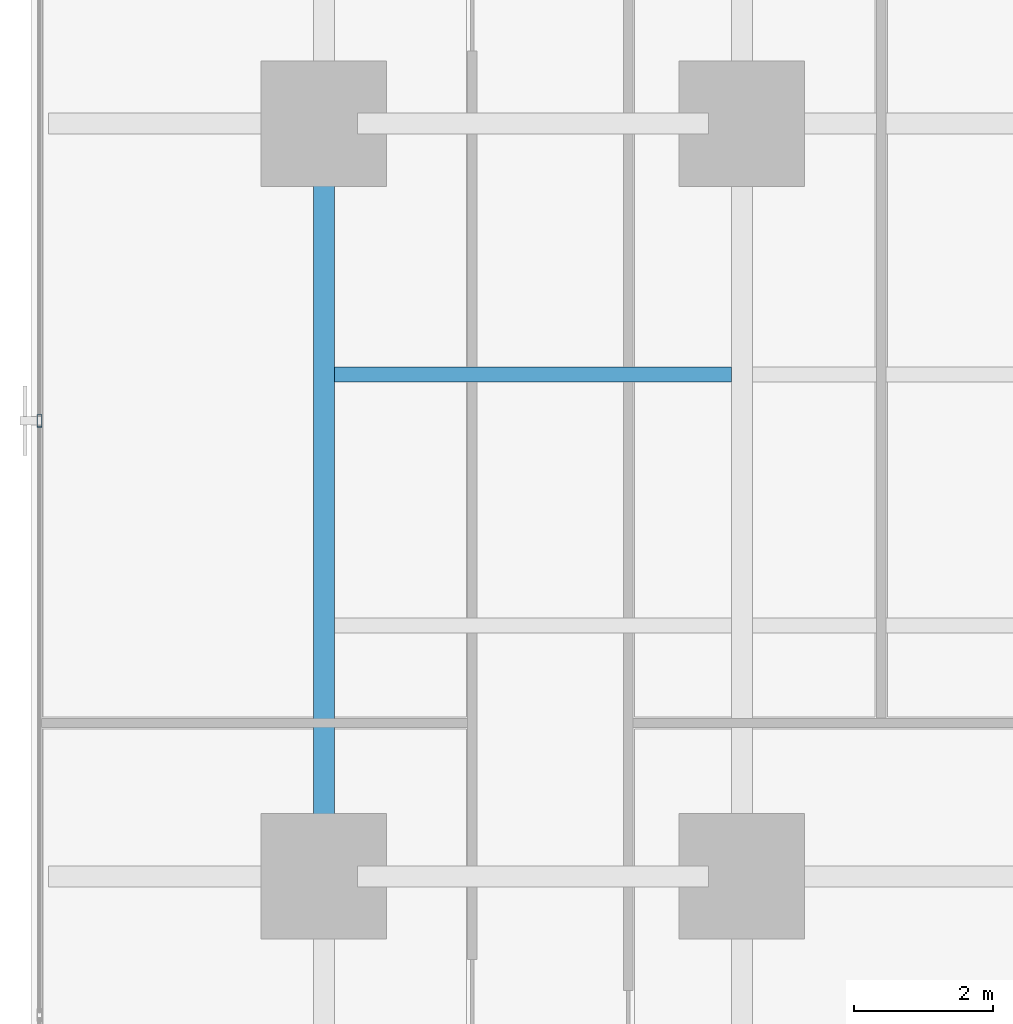
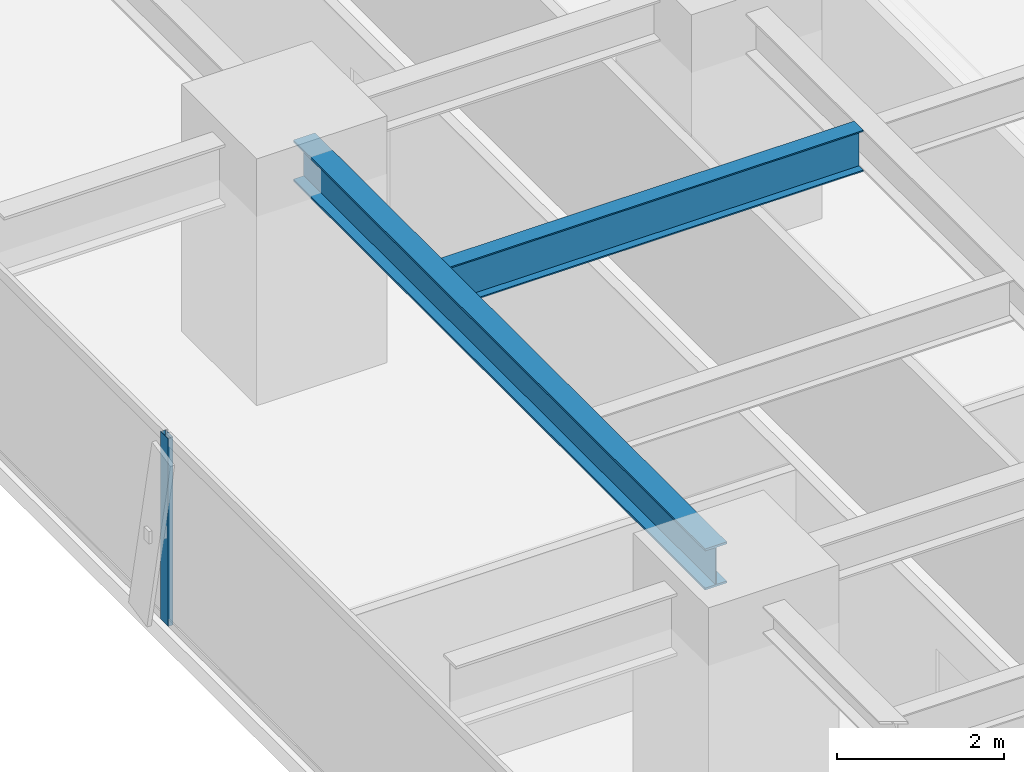
# One storey, part 7 of 33: 2 beams, 1 member, 1 element without a shape of its own.
"""IFC4 building model written with IfcOpenShell, lengths in metres."""

from ifc_helpers import new_model, si_unit, direction, frame, origin, origin_2d, place, context, subcontext, project, spatial, hollow_rectangle, i_section, extrude, source, transform, mapped, material, layer, layer_set, material_profile, profile_set, type_object, element, aggregate, save


model = new_model("IFC4")

# Units and contexts
model_context = context("Model", 3, precision=1e-05, world=origin(), true_north=direction((0.0, 1.0)))
body_context = subcontext(model_context, "Body", "Model", "MODEL_VIEW")
ifc_project = project(units=[si_unit("LENGTHUNIT", "METRE"), si_unit("AREAUNIT", "SQUARE_METRE"), si_unit("VOLUMEUNIT", "CUBIC_METRE"), si_unit("PLANEANGLEUNIT", "RADIAN"), si_unit("MASSUNIT", "GRAM", prefix="KILO")], contexts=[model_context])

# Site, building, storey
site_placement = place(None, origin())
site = spatial("IfcSite", under=ifc_project, at=site_placement, CompositionType="ELEMENT")
building_placement = place(site_placement, origin())
building = spatial("IfcBuilding", under=site, at=building_placement, Name="Sumidabori Civic Tower", CompositionType="ELEMENT")
storey_placement = place(building_placement, frame((0.0, 0.0, 38.0)))
storey = spatial("IfcBuildingStorey", under=building, at=storey_placement, Name="L09", CompositionType="ELEMENT", Elevation=38.0)

# Beams
ifc_material_1 = material(Name="Steel SN490", Category="steel")
ifc_material_profile_1 = material_profile(ifc_material_1, i_section(OverallWidth=0.300048828125, OverallDepth=0.60009765625, WebThickness=0.015380859375, FlangeThickness=0.030029296875, at=origin_2d()), Name="HE 600 B")
ifc_profile_set_1 = profile_set([ifc_material_profile_1], Name="Steel SN490")
beam_type_1 = type_object("IfcBeamType", Name="BM-GIRD-600", PredefinedType="BEAM", material=ifc_profile_set_1)
shared_shape_1 = source(origin(), body_context, "Body", "SweptSolid", [
    extrude(i_section(OverallWidth=0.300048828125, OverallDepth=0.60009765625, WebThickness=0.015380859375, FlangeThickness=0.030029296875, at=origin_2d()), origin(), (0.0, 0.0, 1.0), 9.840087890625),
])
beam_1_placement = place(storey_placement, frame((-22.800048828125, -10.320068359375, 3.06005859375), z_axis=(0.0, 1.0, 0.0), x_axis=(-1.0, 0.0, 0.0)))
element("IfcBeam", 1, at=beam_1_placement, inside=storey, type_object=beam_type_1, Name="Primary Girder L09 GY-22", PredefinedType="BEAM", context=body_context, shape_type="MappedRepresentation", body=[
    mapped(shared_shape_1, transform((0.0, 0.0, 0.0), x_axis=(1.0, 0.0, 0.0), y_axis=(0.0, 1.0, 0.0), z_axis=(0.0, 0.0, 1.0), scale=1.0)),
])
ifc_material_profile_2 = material_profile(ifc_material_1, i_section(OverallWidth=0.219970703125, OverallDepth=0.60009765625, WebThickness=0.011962890625, FlangeThickness=0.01904296875, at=origin_2d()), Name="IPE 600")
ifc_profile_set_2 = profile_set([ifc_material_profile_2], Name="Steel SN490")
beam_type_2 = type_object("IfcBeamType", Name="BM-JST-600", PredefinedType="JOIST", material=ifc_profile_set_2)
shared_shape_2 = source(origin(), body_context, "Body", "SweptSolid", [
    extrude(i_section(OverallWidth=0.219970703125, OverallDepth=0.60009765625, WebThickness=0.011962890625, FlangeThickness=0.01904296875, at=origin_2d()), origin(), (0.0, 0.0, 1.0), 5.699951171875),
])
beam_2_placement = place(storey_placement, frame((-22.64990234375, -3.60009765625, 3.06005859375), z_axis=(1.0, 0.0, 0.0), x_axis=(0.0, 1.0, 0.0)))
element("IfcBeam", 2, at=beam_2_placement, inside=storey, type_object=beam_type_2, Name="Outer Bay Floor Joist L09 JSTO-51", PredefinedType="JOIST", context=body_context, shape_type="MappedRepresentation", body=[
    mapped(shared_shape_2, transform((0.0, 0.0, 0.0), x_axis=(1.0, 0.0, 0.0), y_axis=(0.0, 1.0, 0.0), z_axis=(0.0, 0.0, 1.0), scale=1.0)),
])

# Curtain wall, member
ifc_material_2 = material(Name="Anodised Bronze Aluminium AW-6063-T6", Category="aluminium")
ifc_layer = layer(ifc_material_2, 0.179931640625, Name="Anodised Bronze Aluminium AW-6063-T6")
ifc_layer_set = layer_set([ifc_layer], Name="Anodised Bronze Aluminium AW-6063-T6")
curtain_wall_type = type_object("IfcCurtainWallType", Name="CW-SYS-2", PredefinedType="NOTDEFINED", material=ifc_layer_set)
curtain_wall_placement = place(storey_placement, origin())
curtain_wall = element("IfcCurtainWall", 3, at=curtain_wall_placement, inside=storey, type_object=curtain_wall_type, Name="Curtain Wall CW:L09:R10", PredefinedType="NOTDEFINED")
ifc_material_profile_3 = material_profile(ifc_material_2, hollow_rectangle(XDim=0.070068359375, YDim=0.179931640625, WallThickness=0.006103515625, at=origin_2d()), Name="ALU MULLION 180x70")
ifc_profile_set_3 = profile_set([ifc_material_profile_3], Name="Anodised Bronze Aluminium AW-6063-T6")
member_type = type_object("IfcMemberType", Name="CW-MUL-180", PredefinedType="MULLION", material=ifc_profile_set_3)
shared_shape_3 = source(origin(), body_context, "Body", "SweptSolid", [
    extrude(hollow_rectangle(XDim=0.070068359375, YDim=0.179931640625, WallThickness=0.006103515625, at=origin_2d()), origin(), (0.0, 0.0, 1.0), 2.739990234375),
])
member_placement = place(storey_placement, frame((-26.8798828125, -4.263916015625, 0.0), z_axis=(0.0, 0.0, 1.0), x_axis=(1.0, 0.0, 0.0)))
member = element("IfcMember", 4, at=member_placement, type_object=member_type, Name="CW-2 mullion 4", PredefinedType="MULLION", context=body_context, shape_type="MappedRepresentation", body=[
    mapped(shared_shape_3, transform((0.0, 0.0, 0.0), x_axis=(1.0, 0.0, 0.0), y_axis=(0.0, 1.0, 0.0), z_axis=(0.0, 0.0, 1.0), scale=1.0)),
])
aggregate(curtain_wall, [member])

save(model, "model.ifc")
